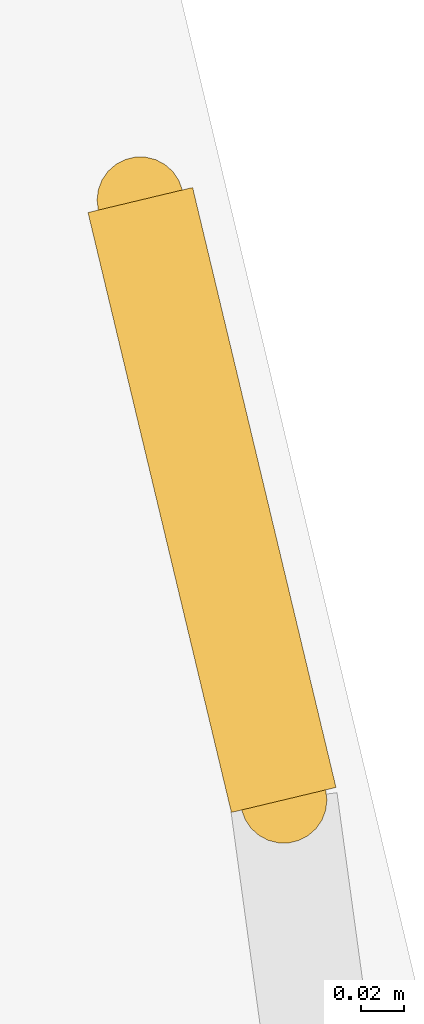
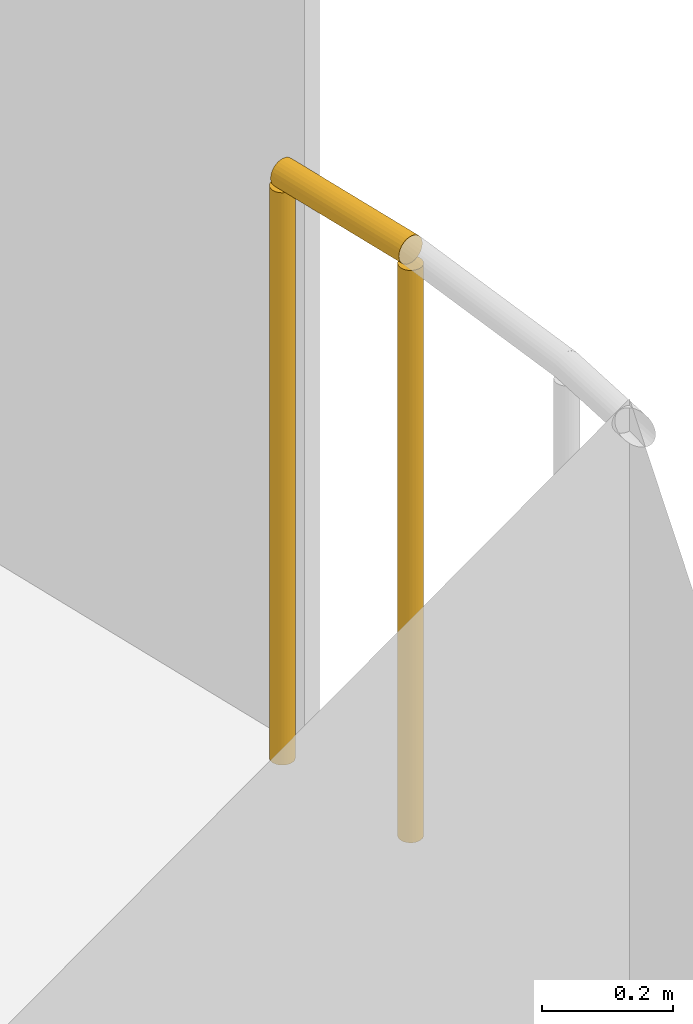
# One storey, part 28 of 28: 1 railing.
"""IFC4 building model written with IfcOpenShell, lengths in metres."""

from ifc_helpers import new_model, si_unit, direction, frame, origin, origin_2d, place, context, subcontext, project, spatial, circle, extrude, material, type_object, element, save


model = new_model("IFC4")

# Units and contexts
model_context = context("Model", 3, precision=1e-05, world=origin(), true_north=direction((0.0, 1.0)))
body_context = subcontext(model_context, "Body", "Model", "MODEL_VIEW")
ifc_project = project(units=[si_unit("LENGTHUNIT", "METRE"), si_unit("AREAUNIT", "SQUARE_METRE"), si_unit("VOLUMEUNIT", "CUBIC_METRE"), si_unit("PLANEANGLEUNIT", "RADIAN"), si_unit("MASSUNIT", "GRAM", prefix="KILO")], contexts=[model_context])

# Site, building, storey
site_placement = place(None, origin())
site = spatial("IfcSite", under=ifc_project, at=site_placement, CompositionType="ELEMENT")
building_placement = place(site_placement, origin())
building = spatial("IfcBuilding", under=site, at=building_placement, Name="Orlundy Tower", CompositionType="ELEMENT")
storey_placement = place(building_placement, frame((0.0, 0.0, 167.10009765625)))
storey = spatial("IfcBuildingStorey", under=building, at=storey_placement, Name="L43", CompositionType="ELEMENT", Elevation=167.10009765625)

# Railing
ifc_material = material(Name="Stainless steel bronze finish", Category="steel")
railing_type = type_object("IfcRailingType", Name="TG1 terrace guard", PredefinedType="GUARDRAIL", material=ifc_material)
railing_placement = place(storey_placement, frame((38.92333984375, 12.44921875, 0.0)))
element("IfcRailing", 1, at=railing_placement, inside=storey, type_object=railing_type, Name="Guard TG-L43-E026", PredefinedType="GUARDRAIL", context=body_context, shape_type="SweptSolid", body=[
    extrude(circle(Radius=0.02490234375, at=origin_2d()), frame((0.0, 0.0, 1.09521484375), z_axis=(0.232467764198, -0.972604101682, 0.0), x_axis=(0.972604101682, 0.232467764198, 0.0)), (0.0, 0.0, 1.0), 0.28564453125),
    extrude(circle(Radius=0.02001953125, at=origin_2d()), origin(), (0.0, 0.0, 1.0), 1.070068359375),
    extrude(circle(Radius=0.02001953125, at=origin_2d()), frame((0.06640625, -0.27783203125, 0.0)), (0.0, 0.0, 1.0), 1.070068359375),
])

save(model, "model.ifc")
